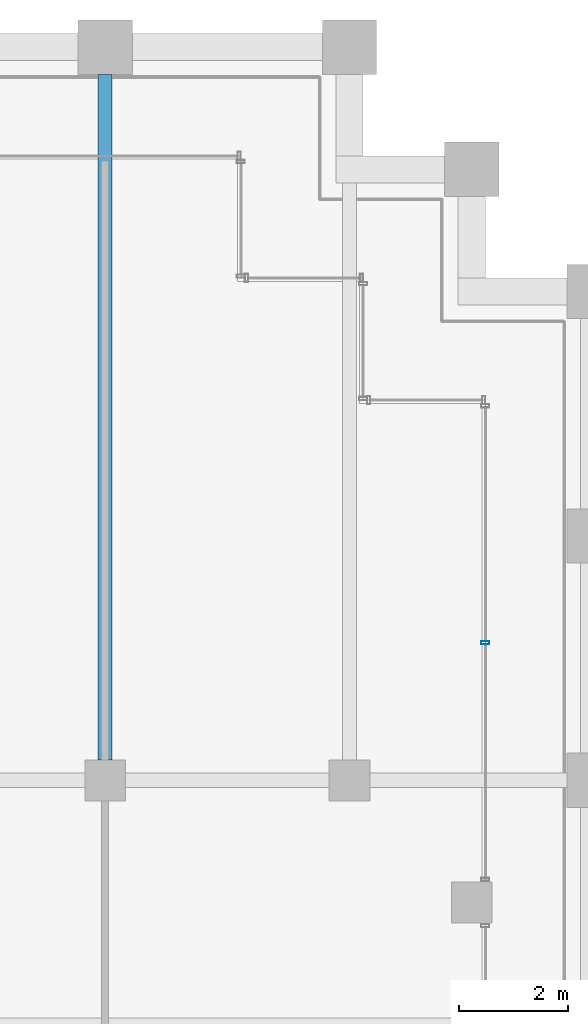
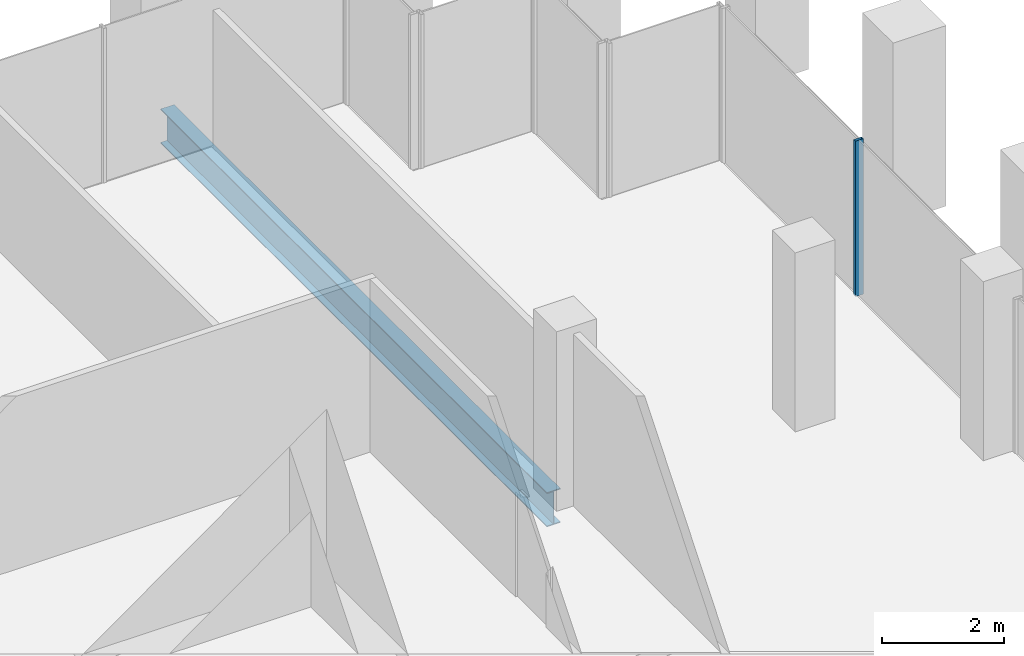
# One storey, part 24 of 46: 1 beam, 1 member, 1 element without a shape of its own.
"""IFC4 building model written with IfcOpenShell, lengths in metres."""

from ifc_helpers import new_model, si_unit, direction, frame, origin, origin_2d, place, context, subcontext, project, spatial, hollow_rectangle, i_section, extrude, material, material_profile, profile_set, type_object, element, aggregate, save


model = new_model("IFC4")

# Units and contexts
model_context = context("Model", 3, precision=1e-05, world=origin(), true_north=direction((0.0, 1.0)))
body_context = subcontext(model_context, "Body", "Model", "MODEL_VIEW")
ifc_project = project(units=[si_unit("LENGTHUNIT", "METRE"), si_unit("AREAUNIT", "SQUARE_METRE"), si_unit("VOLUMEUNIT", "CUBIC_METRE"), si_unit("PLANEANGLEUNIT", "RADIAN"), si_unit("MASSUNIT", "GRAM", prefix="KILO")], contexts=[model_context])

# Site, building, storey
site_placement = place(None, origin())
site = spatial("IfcSite", under=ifc_project, at=site_placement, CompositionType="ELEMENT")
building_placement = place(site_placement, origin())
building = spatial("IfcBuilding", under=site, at=building_placement, Name="Altepetl Exchange Towers", CompositionType="ELEMENT")
storey_placement = place(building_placement, frame((0.0, 0.0, 106.39990234375)))
storey = spatial("IfcBuildingStorey", under=building, at=storey_placement, Name="L26", CompositionType="ELEMENT", Elevation=106.39990234375)

# Beam
ifc_material_1 = material(Name="Steel S355", Category="steel")
ifc_material_profile_1 = material_profile(ifc_material_1, i_section(OverallWidth=0.25390625, OverallDepth=0.68408203125, WebThickness=0.012451171875, FlangeThickness=0.018798828125, at=origin_2d()), Name="W27X94")
ifc_profile_set_1 = profile_set([ifc_material_profile_1], Name="Steel S355")
beam_type = type_object("IfcBeamType", Name="Floor beam W27X94", PredefinedType="BEAM", material=ifc_profile_set_1)
beam_placement = place(storey_placement, frame((63.0, 58.875, -0.491943359375), z_axis=(0.0, 1.0, 0.0), x_axis=(-1.0, 0.0, 0.0)))
element("IfcBeam", 1, at=beam_placement, inside=storey, type_object=beam_type, Name="bm:A:L26:004", PredefinedType="BEAM", context=body_context, shape_type="SweptSolid", body=[
    extrude(i_section(OverallWidth=0.25390625, OverallDepth=0.68408203125, WebThickness=0.012451171875, FlangeThickness=0.018798828125, at=origin_2d()), origin(), (0.0, 0.0, 1.0), 12.625),
])

# Curtain wall, member
ifc_material_2 = material(Name="Aluminium 6063-T6 glazing", Category="aluminium")
curtain_wall_type = type_object("IfcCurtainWallType", Name="Loggia glazing system", PredefinedType="NOTDEFINED", material=ifc_material_2)
curtain_wall_placement = place(storey_placement, origin())
curtain_wall = element("IfcCurtainWall", 2, at=curtain_wall_placement, inside=storey, type_object=curtain_wall_type, Name="CW1 run", PredefinedType="NOTDEFINED")
ifc_material_3 = material(Name="Aluminium 6063-T6", Category="aluminium")
ifc_material_profile_2 = material_profile(ifc_material_3, hollow_rectangle(XDim=0.06005859375, YDim=0.14990234375, WallThickness=0.0029296875, at=origin_2d()), Name="Mullion 60x150 aluminium")
ifc_profile_set_2 = profile_set([ifc_material_profile_2], Name="Aluminium 6063-T6")
member_type = type_object("IfcMemberType", Name="Mullion 60x150 aluminium", PredefinedType="MULLION", material=ifc_profile_set_2)
member_placement = place(storey_placement, frame((70.0, 61.034912109375, 0.0), z_axis=(0.0, 0.0, 1.0), x_axis=(0.0, 1.0, 0.0)))
member = element("IfcMember", 3, at=member_placement, type_object=member_type, Name="MU1 mullion", PredefinedType="MULLION", context=body_context, shape_type="SweptSolid", body=[
    extrude(hollow_rectangle(XDim=0.06005859375, YDim=0.14990234375, WallThickness=0.0029296875, at=origin_2d()), origin(), (0.0, 0.0, 1.0), 3.10009765625),
])
aggregate(curtain_wall, [member])

save(model, "model.ifc")
